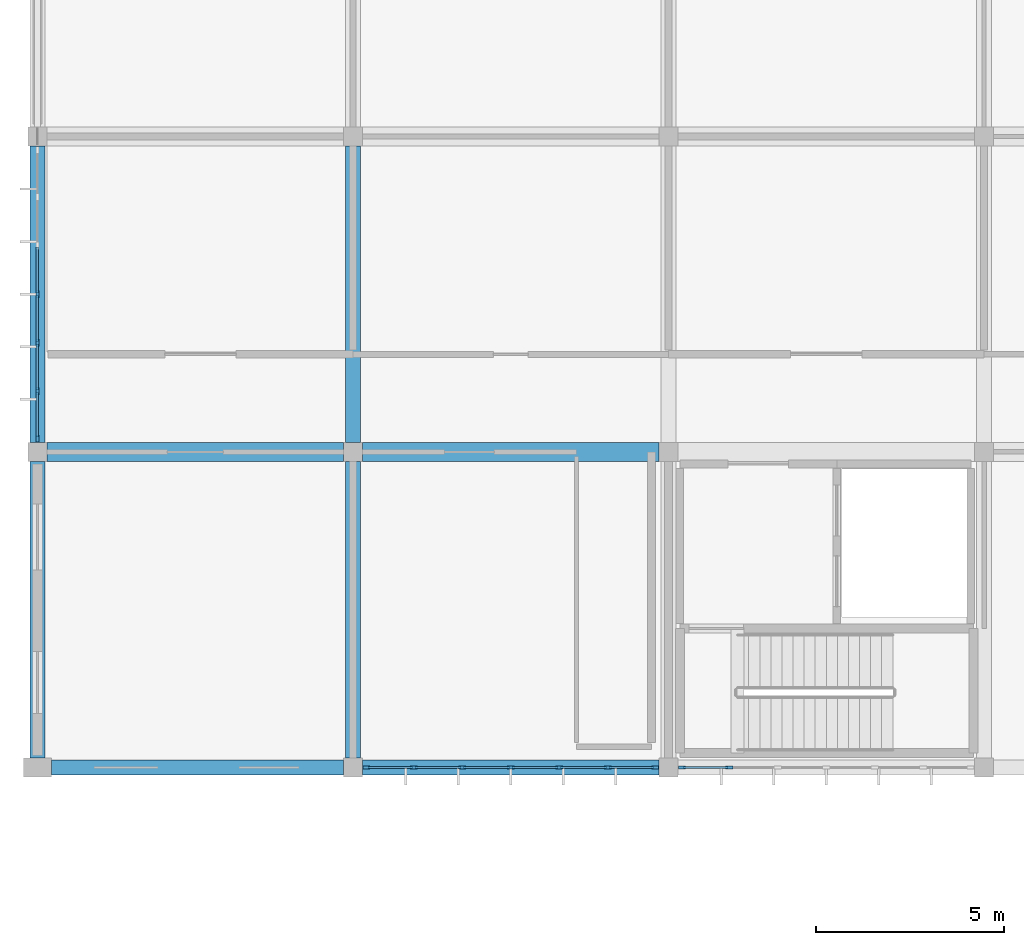
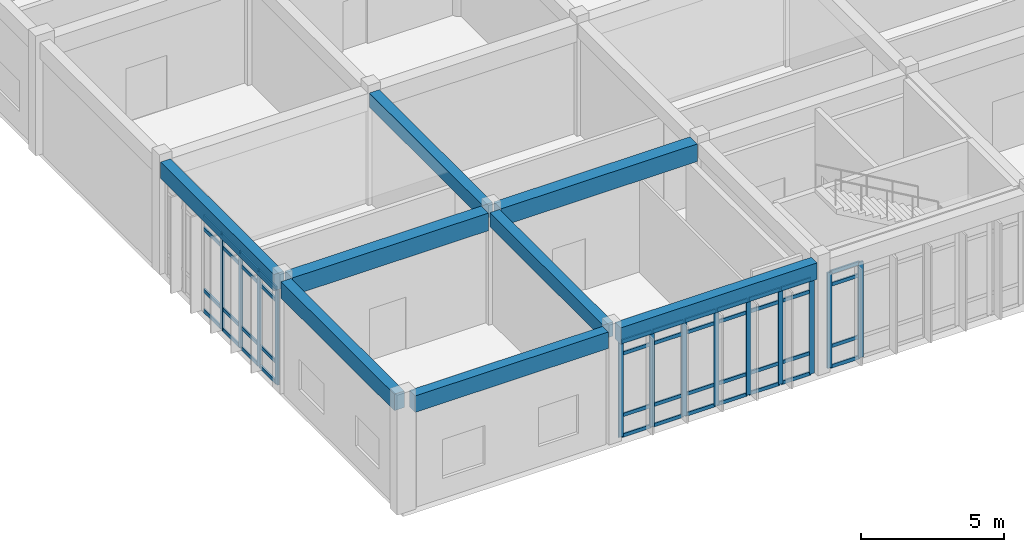
# One storey, part 12 of 134: 57 members, 8 beams, 3 elements without a shape of their own.
"""IFC4 building model written with IfcOpenShell, lengths in metres."""

from ifc_helpers import new_model, si_unit, direction, frame, origin, origin_2d, place, context, subcontext, project, spatial, rectangle, extrude, material, layer, layer_set, material_profile, profile_set, type_object, element, aggregate, save


model = new_model("IFC4")

# Units and contexts
model_context = context("Model", 3, precision=1e-05, world=origin(), true_north=direction((0.0, 1.0)))
body_context = subcontext(model_context, "Body", "Model", "MODEL_VIEW")
ifc_project = project(units=[si_unit("LENGTHUNIT", "METRE"), si_unit("AREAUNIT", "SQUARE_METRE"), si_unit("VOLUMEUNIT", "CUBIC_METRE"), si_unit("PLANEANGLEUNIT", "RADIAN"), si_unit("MASSUNIT", "GRAM", prefix="KILO")], contexts=[model_context])

# Site, building, storey
site_placement = place(None, origin())
site = spatial("IfcSite", under=ifc_project, at=site_placement, CompositionType="ELEMENT")
building_placement = place(site_placement, origin())
building = spatial("IfcBuilding", under=site, at=building_placement, Name="Bramfleet General Hospital", CompositionType="ELEMENT")
storey_placement = place(building_placement, frame((0.0, 0.0, 9.300048828125)))
storey = spatial("IfcBuildingStorey", under=building, at=storey_placement, Name="L02", CompositionType="ELEMENT", Elevation=9.300048828125)

# Beams
ifc_material_1 = material(Name="Concrete C35/45", Category="concrete")
ifc_material_profile_1 = material_profile(ifc_material_1, rectangle(XDim=0.39990234375, YDim=0.60009765625, at=origin_2d()), Name="RC BM 600x400")
ifc_profile_set_1 = profile_set([ifc_material_profile_1], Name="Concrete C35/45")
beam_type_1 = type_object("IfcBeamType", Name="BM-RC600", PredefinedType="BEAM", material=ifc_profile_set_1)
beam_1_placement = place(storey_placement, frame((8.39990234375, 50.64990234375, 4.47998046875), z_axis=(0.0, 1.0, 0.0), x_axis=(-1.0, 0.0, 0.0)))
element("IfcBeam", 1, at=beam_1_placement, inside=storey, type_object=beam_type_1, Name="L02 Grid Beam Y 01-06", PredefinedType="BEAM", context=body_context, shape_type="SweptSolid", body=[
    extrude(rectangle(XDim=0.39990234375, YDim=0.60009765625, at=origin_2d()), origin(), (0.0, 0.0, 1.0), 7.900146484375),
])
beam_2_placement = place(storey_placement, frame((8.39990234375, 59.050048828125, 4.47998046875), z_axis=(0.0, 1.0, 0.0), x_axis=(-1.0, 0.0, 0.0)))
element("IfcBeam", 2, at=beam_2_placement, inside=storey, type_object=beam_type_1, Name="L02 Grid Beam Y 01-07", PredefinedType="BEAM", context=body_context, shape_type="SweptSolid", body=[
    extrude(rectangle(XDim=0.39990234375, YDim=0.60009765625, at=origin_2d()), origin(), (0.0, 0.0, 1.0), 7.89990234375),
])
ifc_material_profile_2 = material_profile(ifc_material_1, rectangle(XDim=0.5, YDim=0.75, at=origin_2d()), Name="RC BM 750x500")
ifc_profile_set_2 = profile_set([ifc_material_profile_2], Name="Concrete C35/45")
beam_type_2 = type_object("IfcBeamType", Name="BM-RC750", PredefinedType="BEAM", material=ifc_profile_set_2)
beam_3_placement = place(storey_placement, frame((0.25, 58.800048828125, 4.405029296875), z_axis=(1.0, 0.0, 0.0), x_axis=(0.0, 1.0, 0.0)))
element("IfcBeam", 3, at=beam_3_placement, inside=storey, type_object=beam_type_2, Name="L02 Grid Beam X 00-07", PredefinedType="BEAM", context=body_context, shape_type="SweptSolid", body=[
    extrude(rectangle(XDim=0.5, YDim=0.75, at=origin_2d()), origin(), (0.0, 0.0, 1.0), 7.89990234375),
])
beam_4_placement = place(storey_placement, frame((8.64990234375, 58.800048828125, 4.405029296875), z_axis=(1.0, 0.0, 0.0), x_axis=(0.0, 1.0, 0.0)))
element("IfcBeam", 4, at=beam_4_placement, inside=storey, type_object=beam_type_2, Name="L02 Grid Beam X 01-07", PredefinedType="BEAM", context=body_context, shape_type="SweptSolid", body=[
    extrude(rectangle(XDim=0.5, YDim=0.75, at=origin_2d()), origin(), (0.0, 0.0, 1.0), 7.900146484375),
])
ifc_material_profile_3 = material_profile(ifc_material_1, rectangle(XDim=0.39990234375, YDim=0.699951171875, at=origin_2d()), Name="RC SP 700x400")
ifc_profile_set_3 = profile_set([ifc_material_profile_3], Name="Concrete C35/45")
beam_type_3 = type_object("IfcBeamType", Name="BM-SP700", PredefinedType="SPANDREL", material=ifc_profile_set_3)
beam_5_placement = place(storey_placement, frame((0.375, 50.39990234375, 4.429931640625), z_axis=(1.0, 0.0, 0.0), x_axis=(0.0, 1.0, 0.0)))
element("IfcBeam", 5, at=beam_5_placement, inside=storey, type_object=beam_type_3, Name="L02 Grid Beam X 00-06", PredefinedType="SPANDREL", context=body_context, shape_type="SweptSolid", body=[
    extrude(rectangle(XDim=0.39990234375, YDim=0.699951171875, at=origin_2d()), origin(), (0.0, 0.0, 1.0), 7.77490234375),
])
for number, where, z_axis, x_axis, name in (
    (6, (8.64990234375, 50.39990234375, 4.429931640625), (1.0, 0.0, 0.0), (0.0, 1.0, 0.0), "L02 Grid Beam X 01-06"),
    (7, (0.0, 50.64990234375, 4.429931640625), (0.0, 1.0, 0.0), (-1.0, 0.0, 0.0), "L02 Grid Beam Y 00-06"),
):
    element("IfcBeam", number, at=place(storey_placement, frame(where, z_axis=z_axis, x_axis=x_axis)), inside=storey, type_object=beam_type_3, Name=name, PredefinedType="SPANDREL", context=body_context, shape_type="SweptSolid", body=[
        extrude(rectangle(XDim=0.39990234375, YDim=0.699951171875, at=origin_2d()), origin(), (0.0, 0.0, 1.0), 7.900146484375),
    ])
beam_6_placement = place(storey_placement, frame((0.0, 59.050048828125, 4.429931640625), z_axis=(0.0, 1.0, 0.0), x_axis=(-1.0, 0.0, 0.0)))
element("IfcBeam", 8, at=beam_6_placement, inside=storey, type_object=beam_type_3, Name="L02 Grid Beam Y 00-07", PredefinedType="SPANDREL", context=body_context, shape_type="SweptSolid", body=[
    extrude(rectangle(XDim=0.39990234375, YDim=0.699951171875, at=origin_2d()), origin(), (0.0, 0.0, 1.0), 7.89990234375),
])

# Curtain wall, members
ifc_material_2 = material(Name="Anodised aluminium and low-E triple glazing", Category="aluminium")
ifc_layer_1 = layer(ifc_material_2, 0.179931640625, Name="CWT-CW-04")
ifc_layer_set_1 = layer_set([ifc_layer_1], Name="Anodised aluminium and low-E triple glazing")
curtain_wall_type_1 = type_object("IfcCurtainWallType", Name="CWT-CW-04", PredefinedType="USERDEFINED", material=ifc_layer_set_1)
curtain_wall_1_placement = place(storey_placement, origin())
curtain_wall_1 = element("IfcCurtainWall", 9, at=curtain_wall_1_placement, inside=storey, type_object=curtain_wall_type_1, Name="L02 Curtain Wall 94", ObjectType="Unitised curtain wall", PredefinedType="USERDEFINED")
ifc_material_3 = material(Name="Structural timber GL28h", Category="wood")
ifc_material_profile_4 = material_profile(ifc_material_3, rectangle(XDim=0.070068359375, YDim=0.18994140625, at=origin_2d()), Name="LARCH 190x70")
ifc_profile_set_4 = profile_set([ifc_material_profile_4], Name="Structural timber GL28h")
member_type_1 = type_object("IfcMemberType", Name="CWM-LARCH450", PredefinedType="MULLION", material=ifc_profile_set_4)
member_1_placement = place(storey_placement, frame((0.0, 59.159912109375, 0.0), z_axis=(0.0, 0.0, 1.0), x_axis=(-1.0, 0.0, 0.0)))
member_1 = element("IfcMember", 10, at=member_1_placement, type_object=member_type_1, Name="CW-04 mullion 1", PredefinedType="MULLION", context=body_context, shape_type="SweptSolid", body=[
    extrude(rectangle(XDim=0.070068359375, YDim=0.18994140625, at=origin_2d()), origin(), (0.0, 0.0, 1.0), 4.070068359375),
])
member_2_placement = place(storey_placement, frame((0.0, 60.416748046875, 0.0), z_axis=(0.0, 0.0, 1.0), x_axis=(-1.0, 0.0, 0.0)))
member_2 = element("IfcMember", 11, at=member_2_placement, type_object=member_type_1, Name="CW-04 mullion 2", PredefinedType="MULLION", context=body_context, shape_type="SweptSolid", body=[
    extrude(rectangle(XDim=0.070068359375, YDim=0.18994140625, at=origin_2d()), origin(), (0.0, 0.0, 1.0), 4.070068359375),
])
member_3_placement = place(storey_placement, frame((0.0, 61.708251953125, 0.0), z_axis=(0.0, 0.0, 1.0), x_axis=(-1.0, 0.0, 0.0)))
member_3 = element("IfcMember", 12, at=member_3_placement, type_object=member_type_1, Name="CW-04 mullion 3", PredefinedType="MULLION", context=body_context, shape_type="SweptSolid", body=[
    extrude(rectangle(XDim=0.070068359375, YDim=0.18994140625, at=origin_2d()), origin(), (0.0, 0.0, 1.0), 4.070068359375),
])
member_4_placement = place(storey_placement, frame((0.0, 63.0, 0.0), z_axis=(0.0, 0.0, 1.0), x_axis=(-1.0, 0.0, 0.0)))
member_4 = element("IfcMember", 13, at=member_4_placement, type_object=member_type_1, Name="CW-04 mullion 4", PredefinedType="MULLION", context=body_context, shape_type="SweptSolid", body=[
    extrude(rectangle(XDim=0.070068359375, YDim=0.18994140625, at=origin_2d()), origin(), (0.0, 0.0, 1.0), 4.070068359375),
])

ifc_layer_2 = layer(ifc_material_2, 0.179931640625, Name="CWT-CW-14")
ifc_layer_set_2 = layer_set([ifc_layer_2], Name="Anodised aluminium and low-E triple glazing")
curtain_wall_type_2 = type_object("IfcCurtainWallType", Name="CWT-CW-14", PredefinedType="USERDEFINED", material=ifc_layer_set_2)
curtain_wall_2_placement = place(storey_placement, origin())
curtain_wall_2 = element("IfcCurtainWall", 14, at=curtain_wall_2_placement, inside=storey, type_object=curtain_wall_type_2, Name="L02 Curtain Wall 140", ObjectType="Stick curtain wall", PredefinedType="USERDEFINED")
member_5_placement = place(storey_placement, frame((18.416748046875, 50.39990234375, 0.0), z_axis=(0.0, 0.0, 1.0), x_axis=(0.0, -1.0, 0.0)))
member_5 = element("IfcMember", 15, at=member_5_placement, type_object=member_type_1, Name="CW-14 mullion 6", PredefinedType="MULLION", context=body_context, shape_type="SweptSolid", body=[
    extrude(rectangle(XDim=0.070068359375, YDim=0.18994140625, at=origin_2d()), origin(), (0.0, 0.0, 1.0), 4.070068359375),
])
member_6_placement = place(storey_placement, frame((17.159912109375, 50.39990234375, 0.0), z_axis=(0.0, 0.0, 1.0), x_axis=(0.0, -1.0, 0.0)))
member_6 = element("IfcMember", 16, at=member_6_placement, type_object=member_type_1, Name="CW-14 mullion 7", PredefinedType="MULLION", context=body_context, shape_type="SweptSolid", body=[
    extrude(rectangle(XDim=0.070068359375, YDim=0.18994140625, at=origin_2d()), origin(), (0.0, 0.0, 1.0), 4.070068359375),
])

ifc_layer_3 = layer(ifc_material_2, 0.179931640625, Name="CWT-CW-15")
ifc_layer_set_3 = layer_set([ifc_layer_3], Name="Anodised aluminium and low-E triple glazing")
curtain_wall_type_3 = type_object("IfcCurtainWallType", Name="CWT-CW-15", PredefinedType="USERDEFINED", material=ifc_layer_set_3)
curtain_wall_3_placement = place(storey_placement, origin())
curtain_wall_3 = element("IfcCurtainWall", 17, at=curtain_wall_3_placement, inside=storey, type_object=curtain_wall_type_3, Name="L02 Curtain Wall 141", ObjectType="Stick curtain wall", PredefinedType="USERDEFINED")
member_7_placement = place(storey_placement, frame((16.43994140625, 50.39990234375, 0.0), z_axis=(0.0, 0.0, 1.0), x_axis=(0.0, -1.0, 0.0)))
member_7 = element("IfcMember", 18, at=member_7_placement, type_object=member_type_1, Name="CW-15 mullion 1", PredefinedType="MULLION", context=body_context, shape_type="SweptSolid", body=[
    extrude(rectangle(XDim=0.070068359375, YDim=0.18994140625, at=origin_2d()), origin(), (0.0, 0.0, 1.0), 4.070068359375),
])
member_8_placement = place(storey_placement, frame((15.183349609375, 50.39990234375, 0.0), z_axis=(0.0, 0.0, 1.0), x_axis=(0.0, -1.0, 0.0)))
member_8 = element("IfcMember", 19, at=member_8_placement, type_object=member_type_1, Name="CW-15 mullion 2", PredefinedType="MULLION", context=body_context, shape_type="SweptSolid", body=[
    extrude(rectangle(XDim=0.070068359375, YDim=0.18994140625, at=origin_2d()), origin(), (0.0, 0.0, 1.0), 4.070068359375),
])
member_9_placement = place(storey_placement, frame((13.8916015625, 50.39990234375, 0.0), z_axis=(0.0, 0.0, 1.0), x_axis=(0.0, -1.0, 0.0)))
member_9 = element("IfcMember", 20, at=member_9_placement, type_object=member_type_1, Name="CW-15 mullion 3", PredefinedType="MULLION", context=body_context, shape_type="SweptSolid", body=[
    extrude(rectangle(XDim=0.070068359375, YDim=0.18994140625, at=origin_2d()), origin(), (0.0, 0.0, 1.0), 4.070068359375),
])
member_10_placement = place(storey_placement, frame((12.60009765625, 50.39990234375, 0.0), z_axis=(0.0, 0.0, 1.0), x_axis=(0.0, -1.0, 0.0)))
member_10 = element("IfcMember", 21, at=member_10_placement, type_object=member_type_1, Name="CW-15 mullion 4", PredefinedType="MULLION", context=body_context, shape_type="SweptSolid", body=[
    extrude(rectangle(XDim=0.070068359375, YDim=0.18994140625, at=origin_2d()), origin(), (0.0, 0.0, 1.0), 4.070068359375),
])
member_11_placement = place(storey_placement, frame((11.308349609375, 50.39990234375, 0.0), z_axis=(0.0, 0.0, 1.0), x_axis=(0.0, -1.0, 0.0)))
member_11 = element("IfcMember", 22, at=member_11_placement, type_object=member_type_1, Name="CW-15 mullion 5", PredefinedType="MULLION", context=body_context, shape_type="SweptSolid", body=[
    extrude(rectangle(XDim=0.070068359375, YDim=0.18994140625, at=origin_2d()), origin(), (0.0, 0.0, 1.0), 4.070068359375),
])
member_12_placement = place(storey_placement, frame((10.0166015625, 50.39990234375, 0.0), z_axis=(0.0, 0.0, 1.0), x_axis=(0.0, -1.0, 0.0)))
member_12 = element("IfcMember", 23, at=member_12_placement, type_object=member_type_1, Name="CW-15 mullion 6", PredefinedType="MULLION", context=body_context, shape_type="SweptSolid", body=[
    extrude(rectangle(XDim=0.070068359375, YDim=0.18994140625, at=origin_2d()), origin(), (0.0, 0.0, 1.0), 4.070068359375),
])
member_13_placement = place(storey_placement, frame((8.760009765625, 50.39990234375, 0.0), z_axis=(0.0, 0.0, 1.0), x_axis=(0.0, -1.0, 0.0)))
member_13 = element("IfcMember", 24, at=member_13_placement, type_object=member_type_1, Name="CW-15 mullion 7", PredefinedType="MULLION", context=body_context, shape_type="SweptSolid", body=[
    extrude(rectangle(XDim=0.070068359375, YDim=0.18994140625, at=origin_2d()), origin(), (0.0, 0.0, 1.0), 4.070068359375),
])

# Member
ifc_material_profile_5 = material_profile(ifc_material_3, rectangle(XDim=0.06494140625, YDim=0.14990234375, at=origin_2d()), Name="LARCH 150x65")
ifc_profile_set_5 = profile_set([ifc_material_profile_5], Name="Structural timber GL28h")
member_type_2 = type_object("IfcMemberType", Name="CWT-LARCH220", PredefinedType="USERDEFINED", material=ifc_profile_set_5)
member_14_placement = place(storey_placement, frame((0.0, 59.195068359375, 0.032470703125), z_axis=(0.0, 1.0, 0.0), x_axis=(-1.0, 0.0, 0.0)))
member_14 = element("IfcMember", 25, at=member_14_placement, type_object=member_type_2, Name="CW-04 transom 1.1", ObjectType="TRANSOM", PredefinedType="USERDEFINED", context=body_context, shape_type="SweptSolid", body=[
    extrude(rectangle(XDim=0.06494140625, YDim=0.14990234375, at=origin_2d()), origin(), (0.0, 0.0, 1.0), 1.1865234375),
])

member_15_placement = place(storey_placement, frame((0.0, 59.195068359375, 0.89990234375), z_axis=(0.0, 1.0, 0.0), x_axis=(-1.0, 0.0, 0.0)))
member_15 = element("IfcMember", 26, at=member_15_placement, type_object=member_type_2, Name="CW-04 transom 1.2", ObjectType="TRANSOM", PredefinedType="USERDEFINED", context=body_context, shape_type="SweptSolid", body=[
    extrude(rectangle(XDim=0.06494140625, YDim=0.14990234375, at=origin_2d()), origin(), (0.0, 0.0, 1.0), 1.1865234375),
])

member_16_placement = place(storey_placement, frame((0.0, 59.195068359375, 3.52001953125), z_axis=(0.0, 1.0, 0.0), x_axis=(-1.0, 0.0, 0.0)))
member_16 = element("IfcMember", 27, at=member_16_placement, type_object=member_type_2, Name="CW-04 transom 1.3", ObjectType="TRANSOM", PredefinedType="USERDEFINED", context=body_context, shape_type="SweptSolid", body=[
    extrude(rectangle(XDim=0.06494140625, YDim=0.14990234375, at=origin_2d()), origin(), (0.0, 0.0, 1.0), 1.1865234375),
])

member_17_placement = place(storey_placement, frame((0.0, 59.195068359375, 4.037353515625), z_axis=(0.0, 1.0, 0.0), x_axis=(-1.0, 0.0, 0.0)))
member_17 = element("IfcMember", 28, at=member_17_placement, type_object=member_type_2, Name="CW-04 transom 1.4", ObjectType="TRANSOM", PredefinedType="USERDEFINED", context=body_context, shape_type="SweptSolid", body=[
    extrude(rectangle(XDim=0.06494140625, YDim=0.14990234375, at=origin_2d()), origin(), (0.0, 0.0, 1.0), 1.1865234375),
])

member_18_placement = place(storey_placement, frame((0.0, 60.45166015625, 0.032470703125), z_axis=(0.0, 1.0, 0.0), x_axis=(-1.0, 0.0, 0.0)))
member_18 = element("IfcMember", 29, at=member_18_placement, type_object=member_type_2, Name="CW-04 transom 2.1", ObjectType="TRANSOM", PredefinedType="USERDEFINED", context=body_context, shape_type="SweptSolid", body=[
    extrude(rectangle(XDim=0.06494140625, YDim=0.14990234375, at=origin_2d()), origin(), (0.0, 0.0, 1.0), 1.2216796875),
])

member_19_placement = place(storey_placement, frame((0.0, 60.45166015625, 0.89990234375), z_axis=(0.0, 1.0, 0.0), x_axis=(-1.0, 0.0, 0.0)))
member_19 = element("IfcMember", 30, at=member_19_placement, type_object=member_type_2, Name="CW-04 transom 2.2", ObjectType="TRANSOM", PredefinedType="USERDEFINED", context=body_context, shape_type="SweptSolid", body=[
    extrude(rectangle(XDim=0.06494140625, YDim=0.14990234375, at=origin_2d()), origin(), (0.0, 0.0, 1.0), 1.2216796875),
])

member_20_placement = place(storey_placement, frame((0.0, 60.45166015625, 3.52001953125), z_axis=(0.0, 1.0, 0.0), x_axis=(-1.0, 0.0, 0.0)))
member_20 = element("IfcMember", 31, at=member_20_placement, type_object=member_type_2, Name="CW-04 transom 2.3", ObjectType="TRANSOM", PredefinedType="USERDEFINED", context=body_context, shape_type="SweptSolid", body=[
    extrude(rectangle(XDim=0.06494140625, YDim=0.14990234375, at=origin_2d()), origin(), (0.0, 0.0, 1.0), 1.2216796875),
])

member_21_placement = place(storey_placement, frame((0.0, 60.45166015625, 4.037353515625), z_axis=(0.0, 1.0, 0.0), x_axis=(-1.0, 0.0, 0.0)))
member_21 = element("IfcMember", 32, at=member_21_placement, type_object=member_type_2, Name="CW-04 transom 2.4", ObjectType="TRANSOM", PredefinedType="USERDEFINED", context=body_context, shape_type="SweptSolid", body=[
    extrude(rectangle(XDim=0.06494140625, YDim=0.14990234375, at=origin_2d()), origin(), (0.0, 0.0, 1.0), 1.2216796875),
])

member_22_placement = place(storey_placement, frame((0.0, 61.743408203125, 0.032470703125), z_axis=(0.0, 1.0, 0.0), x_axis=(-1.0, 0.0, 0.0)))
member_22 = element("IfcMember", 33, at=member_22_placement, type_object=member_type_2, Name="CW-04 transom 3.1", ObjectType="TRANSOM", PredefinedType="USERDEFINED", context=body_context, shape_type="SweptSolid", body=[
    extrude(rectangle(XDim=0.06494140625, YDim=0.14990234375, at=origin_2d()), origin(), (0.0, 0.0, 1.0), 1.2216796875),
])

member_23_placement = place(storey_placement, frame((0.0, 61.743408203125, 0.89990234375), z_axis=(0.0, 1.0, 0.0), x_axis=(-1.0, 0.0, 0.0)))
member_23 = element("IfcMember", 34, at=member_23_placement, type_object=member_type_2, Name="CW-04 transom 3.2", ObjectType="TRANSOM", PredefinedType="USERDEFINED", context=body_context, shape_type="SweptSolid", body=[
    extrude(rectangle(XDim=0.06494140625, YDim=0.14990234375, at=origin_2d()), origin(), (0.0, 0.0, 1.0), 1.2216796875),
])

member_24_placement = place(storey_placement, frame((0.0, 61.743408203125, 3.52001953125), z_axis=(0.0, 1.0, 0.0), x_axis=(-1.0, 0.0, 0.0)))
member_24 = element("IfcMember", 35, at=member_24_placement, type_object=member_type_2, Name="CW-04 transom 3.3", ObjectType="TRANSOM", PredefinedType="USERDEFINED", context=body_context, shape_type="SweptSolid", body=[
    extrude(rectangle(XDim=0.06494140625, YDim=0.14990234375, at=origin_2d()), origin(), (0.0, 0.0, 1.0), 1.2216796875),
])

member_25_placement = place(storey_placement, frame((0.0, 61.743408203125, 4.037353515625), z_axis=(0.0, 1.0, 0.0), x_axis=(-1.0, 0.0, 0.0)))
member_25 = element("IfcMember", 36, at=member_25_placement, type_object=member_type_2, Name="CW-04 transom 3.4", ObjectType="TRANSOM", PredefinedType="USERDEFINED", context=body_context, shape_type="SweptSolid", body=[
    extrude(rectangle(XDim=0.06494140625, YDim=0.14990234375, at=origin_2d()), origin(), (0.0, 0.0, 1.0), 1.2216796875),
])

member_26_placement = place(storey_placement, frame((0.0, 63.034912109375, 0.032470703125), z_axis=(0.0, 1.0, 0.0), x_axis=(-1.0, 0.0, 0.0)))
member_26 = element("IfcMember", 37, at=member_26_placement, type_object=member_type_2, Name="CW-04 transom 4.1", ObjectType="TRANSOM", PredefinedType="USERDEFINED", context=body_context, shape_type="SweptSolid", body=[
    extrude(rectangle(XDim=0.06494140625, YDim=0.14990234375, at=origin_2d()), origin(), (0.0, 0.0, 1.0), 1.2216796875),
])

member_27_placement = place(storey_placement, frame((0.0, 63.034912109375, 0.89990234375), z_axis=(0.0, 1.0, 0.0), x_axis=(-1.0, 0.0, 0.0)))
member_27 = element("IfcMember", 38, at=member_27_placement, type_object=member_type_2, Name="CW-04 transom 4.2", ObjectType="TRANSOM", PredefinedType="USERDEFINED", context=body_context, shape_type="SweptSolid", body=[
    extrude(rectangle(XDim=0.06494140625, YDim=0.14990234375, at=origin_2d()), origin(), (0.0, 0.0, 1.0), 1.2216796875),
])

member_28_placement = place(storey_placement, frame((0.0, 63.034912109375, 3.52001953125), z_axis=(0.0, 1.0, 0.0), x_axis=(-1.0, 0.0, 0.0)))
member_28 = element("IfcMember", 39, at=member_28_placement, type_object=member_type_2, Name="CW-04 transom 4.3", ObjectType="TRANSOM", PredefinedType="USERDEFINED", context=body_context, shape_type="SweptSolid", body=[
    extrude(rectangle(XDim=0.06494140625, YDim=0.14990234375, at=origin_2d()), origin(), (0.0, 0.0, 1.0), 1.2216796875),
])

member_29_placement = place(storey_placement, frame((0.0, 63.034912109375, 4.037353515625), z_axis=(0.0, 1.0, 0.0), x_axis=(-1.0, 0.0, 0.0)))
member_29 = element("IfcMember", 40, at=member_29_placement, type_object=member_type_2, Name="CW-04 transom 4.4", ObjectType="TRANSOM", PredefinedType="USERDEFINED", context=body_context, shape_type="SweptSolid", body=[
    extrude(rectangle(XDim=0.06494140625, YDim=0.14990234375, at=origin_2d()), origin(), (0.0, 0.0, 1.0), 1.2216796875),
])

aggregate(curtain_wall_1, [member_1, member_2, member_3, member_4, member_14, member_15, member_16, member_17, member_18, member_19, member_20, member_21, member_22, member_23, member_24, member_25, member_26, member_27, member_28, member_29])

member_30_placement = place(storey_placement, frame((18.381591796875, 50.39990234375, 0.032470703125), z_axis=(-1.0, 0.0, 0.0), x_axis=(0.0, -1.0, 0.0)))
member_30 = element("IfcMember", 41, at=member_30_placement, type_object=member_type_2, Name="CW-14 transom 6.1", ObjectType="TRANSOM", PredefinedType="USERDEFINED", context=body_context, shape_type="SweptSolid", body=[
    extrude(rectangle(XDim=0.06494140625, YDim=0.14990234375, at=origin_2d()), origin(), (0.0, 0.0, 1.0), 1.1865234375),
])

member_31_placement = place(storey_placement, frame((18.381591796875, 50.39990234375, 0.89990234375), z_axis=(-1.0, 0.0, 0.0), x_axis=(0.0, -1.0, 0.0)))
member_31 = element("IfcMember", 42, at=member_31_placement, type_object=member_type_2, Name="CW-14 transom 6.2", ObjectType="TRANSOM", PredefinedType="USERDEFINED", context=body_context, shape_type="SweptSolid", body=[
    extrude(rectangle(XDim=0.06494140625, YDim=0.14990234375, at=origin_2d()), origin(), (0.0, 0.0, 1.0), 1.1865234375),
])

member_32_placement = place(storey_placement, frame((18.381591796875, 50.39990234375, 3.52001953125), z_axis=(-1.0, 0.0, 0.0), x_axis=(0.0, -1.0, 0.0)))
member_32 = element("IfcMember", 43, at=member_32_placement, type_object=member_type_2, Name="CW-14 transom 6.3", ObjectType="TRANSOM", PredefinedType="USERDEFINED", context=body_context, shape_type="SweptSolid", body=[
    extrude(rectangle(XDim=0.06494140625, YDim=0.14990234375, at=origin_2d()), origin(), (0.0, 0.0, 1.0), 1.1865234375),
])

member_33_placement = place(storey_placement, frame((18.381591796875, 50.39990234375, 4.037353515625), z_axis=(-1.0, 0.0, 0.0), x_axis=(0.0, -1.0, 0.0)))
member_33 = element("IfcMember", 44, at=member_33_placement, type_object=member_type_2, Name="CW-14 transom 6.4", ObjectType="TRANSOM", PredefinedType="USERDEFINED", context=body_context, shape_type="SweptSolid", body=[
    extrude(rectangle(XDim=0.06494140625, YDim=0.14990234375, at=origin_2d()), origin(), (0.0, 0.0, 1.0), 1.1865234375),
])

aggregate(curtain_wall_2, [member_5, member_6, member_30, member_31, member_32, member_33])

member_34_placement = place(storey_placement, frame((16.405029296875, 50.39990234375, 0.032470703125), z_axis=(-1.0, 0.0, 0.0), x_axis=(0.0, -1.0, 0.0)))
member_34 = element("IfcMember", 45, at=member_34_placement, type_object=member_type_2, Name="CW-15 transom 1.1", ObjectType="TRANSOM", PredefinedType="USERDEFINED", context=body_context, shape_type="SweptSolid", body=[
    extrude(rectangle(XDim=0.06494140625, YDim=0.14990234375, at=origin_2d()), origin(), (0.0, 0.0, 1.0), 1.186767578125),
])

member_35_placement = place(storey_placement, frame((16.405029296875, 50.39990234375, 0.89990234375), z_axis=(-1.0, 0.0, 0.0), x_axis=(0.0, -1.0, 0.0)))
member_35 = element("IfcMember", 46, at=member_35_placement, type_object=member_type_2, Name="CW-15 transom 1.2", ObjectType="TRANSOM", PredefinedType="USERDEFINED", context=body_context, shape_type="SweptSolid", body=[
    extrude(rectangle(XDim=0.06494140625, YDim=0.14990234375, at=origin_2d()), origin(), (0.0, 0.0, 1.0), 1.186767578125),
])

member_36_placement = place(storey_placement, frame((16.405029296875, 50.39990234375, 3.52001953125), z_axis=(-1.0, 0.0, 0.0), x_axis=(0.0, -1.0, 0.0)))
member_36 = element("IfcMember", 47, at=member_36_placement, type_object=member_type_2, Name="CW-15 transom 1.3", ObjectType="TRANSOM", PredefinedType="USERDEFINED", context=body_context, shape_type="SweptSolid", body=[
    extrude(rectangle(XDim=0.06494140625, YDim=0.14990234375, at=origin_2d()), origin(), (0.0, 0.0, 1.0), 1.186767578125),
])

member_37_placement = place(storey_placement, frame((16.405029296875, 50.39990234375, 4.037353515625), z_axis=(-1.0, 0.0, 0.0), x_axis=(0.0, -1.0, 0.0)))
member_37 = element("IfcMember", 48, at=member_37_placement, type_object=member_type_2, Name="CW-15 transom 1.4", ObjectType="TRANSOM", PredefinedType="USERDEFINED", context=body_context, shape_type="SweptSolid", body=[
    extrude(rectangle(XDim=0.06494140625, YDim=0.14990234375, at=origin_2d()), origin(), (0.0, 0.0, 1.0), 1.186767578125),
])

member_38_placement = place(storey_placement, frame((15.1484375, 50.39990234375, 0.032470703125), z_axis=(-1.0, 0.0, 0.0), x_axis=(0.0, -1.0, 0.0)))
member_38 = element("IfcMember", 49, at=member_38_placement, type_object=member_type_2, Name="CW-15 transom 2.1", ObjectType="TRANSOM", PredefinedType="USERDEFINED", context=body_context, shape_type="SweptSolid", body=[
    extrude(rectangle(XDim=0.06494140625, YDim=0.14990234375, at=origin_2d()), origin(), (0.0, 0.0, 1.0), 1.2216796875),
])

member_39_placement = place(storey_placement, frame((15.1484375, 50.39990234375, 0.89990234375), z_axis=(-1.0, 0.0, 0.0), x_axis=(0.0, -1.0, 0.0)))
member_39 = element("IfcMember", 50, at=member_39_placement, type_object=member_type_2, Name="CW-15 transom 2.2", ObjectType="TRANSOM", PredefinedType="USERDEFINED", context=body_context, shape_type="SweptSolid", body=[
    extrude(rectangle(XDim=0.06494140625, YDim=0.14990234375, at=origin_2d()), origin(), (0.0, 0.0, 1.0), 1.2216796875),
])

member_40_placement = place(storey_placement, frame((15.1484375, 50.39990234375, 3.52001953125), z_axis=(-1.0, 0.0, 0.0), x_axis=(0.0, -1.0, 0.0)))
member_40 = element("IfcMember", 51, at=member_40_placement, type_object=member_type_2, Name="CW-15 transom 2.3", ObjectType="TRANSOM", PredefinedType="USERDEFINED", context=body_context, shape_type="SweptSolid", body=[
    extrude(rectangle(XDim=0.06494140625, YDim=0.14990234375, at=origin_2d()), origin(), (0.0, 0.0, 1.0), 1.2216796875),
])

member_41_placement = place(storey_placement, frame((15.1484375, 50.39990234375, 4.037353515625), z_axis=(-1.0, 0.0, 0.0), x_axis=(0.0, -1.0, 0.0)))
member_41 = element("IfcMember", 52, at=member_41_placement, type_object=member_type_2, Name="CW-15 transom 2.4", ObjectType="TRANSOM", PredefinedType="USERDEFINED", context=body_context, shape_type="SweptSolid", body=[
    extrude(rectangle(XDim=0.06494140625, YDim=0.14990234375, at=origin_2d()), origin(), (0.0, 0.0, 1.0), 1.2216796875),
])

member_42_placement = place(storey_placement, frame((13.856689453125, 50.39990234375, 0.032470703125), z_axis=(-1.0, 0.0, 0.0), x_axis=(0.0, -1.0, 0.0)))
member_42 = element("IfcMember", 53, at=member_42_placement, type_object=member_type_2, Name="CW-15 transom 3.1", ObjectType="TRANSOM", PredefinedType="USERDEFINED", context=body_context, shape_type="SweptSolid", body=[
    extrude(rectangle(XDim=0.06494140625, YDim=0.14990234375, at=origin_2d()), origin(), (0.0, 0.0, 1.0), 1.2216796875),
])

member_43_placement = place(storey_placement, frame((13.856689453125, 50.39990234375, 0.89990234375), z_axis=(-1.0, 0.0, 0.0), x_axis=(0.0, -1.0, 0.0)))
member_43 = element("IfcMember", 54, at=member_43_placement, type_object=member_type_2, Name="CW-15 transom 3.2", ObjectType="TRANSOM", PredefinedType="USERDEFINED", context=body_context, shape_type="SweptSolid", body=[
    extrude(rectangle(XDim=0.06494140625, YDim=0.14990234375, at=origin_2d()), origin(), (0.0, 0.0, 1.0), 1.2216796875),
])

member_44_placement = place(storey_placement, frame((13.856689453125, 50.39990234375, 3.52001953125), z_axis=(-1.0, 0.0, 0.0), x_axis=(0.0, -1.0, 0.0)))
member_44 = element("IfcMember", 55, at=member_44_placement, type_object=member_type_2, Name="CW-15 transom 3.3", ObjectType="TRANSOM", PredefinedType="USERDEFINED", context=body_context, shape_type="SweptSolid", body=[
    extrude(rectangle(XDim=0.06494140625, YDim=0.14990234375, at=origin_2d()), origin(), (0.0, 0.0, 1.0), 1.2216796875),
])

member_45_placement = place(storey_placement, frame((13.856689453125, 50.39990234375, 4.037353515625), z_axis=(-1.0, 0.0, 0.0), x_axis=(0.0, -1.0, 0.0)))
member_45 = element("IfcMember", 56, at=member_45_placement, type_object=member_type_2, Name="CW-15 transom 3.4", ObjectType="TRANSOM", PredefinedType="USERDEFINED", context=body_context, shape_type="SweptSolid", body=[
    extrude(rectangle(XDim=0.06494140625, YDim=0.14990234375, at=origin_2d()), origin(), (0.0, 0.0, 1.0), 1.2216796875),
])

member_46_placement = place(storey_placement, frame((12.56494140625, 50.39990234375, 0.032470703125), z_axis=(-1.0, 0.0, 0.0), x_axis=(0.0, -1.0, 0.0)))
member_46 = element("IfcMember", 57, at=member_46_placement, type_object=member_type_2, Name="CW-15 transom 4.1", ObjectType="TRANSOM", PredefinedType="USERDEFINED", context=body_context, shape_type="SweptSolid", body=[
    extrude(rectangle(XDim=0.06494140625, YDim=0.14990234375, at=origin_2d()), origin(), (0.0, 0.0, 1.0), 1.2216796875),
])

member_47_placement = place(storey_placement, frame((12.56494140625, 50.39990234375, 0.89990234375), z_axis=(-1.0, 0.0, 0.0), x_axis=(0.0, -1.0, 0.0)))
member_47 = element("IfcMember", 58, at=member_47_placement, type_object=member_type_2, Name="CW-15 transom 4.2", ObjectType="TRANSOM", PredefinedType="USERDEFINED", context=body_context, shape_type="SweptSolid", body=[
    extrude(rectangle(XDim=0.06494140625, YDim=0.14990234375, at=origin_2d()), origin(), (0.0, 0.0, 1.0), 1.2216796875),
])

member_48_placement = place(storey_placement, frame((12.56494140625, 50.39990234375, 3.52001953125), z_axis=(-1.0, 0.0, 0.0), x_axis=(0.0, -1.0, 0.0)))
member_48 = element("IfcMember", 59, at=member_48_placement, type_object=member_type_2, Name="CW-15 transom 4.3", ObjectType="TRANSOM", PredefinedType="USERDEFINED", context=body_context, shape_type="SweptSolid", body=[
    extrude(rectangle(XDim=0.06494140625, YDim=0.14990234375, at=origin_2d()), origin(), (0.0, 0.0, 1.0), 1.2216796875),
])

member_49_placement = place(storey_placement, frame((12.56494140625, 50.39990234375, 4.037353515625), z_axis=(-1.0, 0.0, 0.0), x_axis=(0.0, -1.0, 0.0)))
member_49 = element("IfcMember", 60, at=member_49_placement, type_object=member_type_2, Name="CW-15 transom 4.4", ObjectType="TRANSOM", PredefinedType="USERDEFINED", context=body_context, shape_type="SweptSolid", body=[
    extrude(rectangle(XDim=0.06494140625, YDim=0.14990234375, at=origin_2d()), origin(), (0.0, 0.0, 1.0), 1.2216796875),
])

member_50_placement = place(storey_placement, frame((11.2734375, 50.39990234375, 0.032470703125), z_axis=(-1.0, 0.0, 0.0), x_axis=(0.0, -1.0, 0.0)))
member_50 = element("IfcMember", 61, at=member_50_placement, type_object=member_type_2, Name="CW-15 transom 5.1", ObjectType="TRANSOM", PredefinedType="USERDEFINED", context=body_context, shape_type="SweptSolid", body=[
    extrude(rectangle(XDim=0.06494140625, YDim=0.14990234375, at=origin_2d()), origin(), (0.0, 0.0, 1.0), 1.2216796875),
])

member_51_placement = place(storey_placement, frame((11.2734375, 50.39990234375, 0.89990234375), z_axis=(-1.0, 0.0, 0.0), x_axis=(0.0, -1.0, 0.0)))
member_51 = element("IfcMember", 62, at=member_51_placement, type_object=member_type_2, Name="CW-15 transom 5.2", ObjectType="TRANSOM", PredefinedType="USERDEFINED", context=body_context, shape_type="SweptSolid", body=[
    extrude(rectangle(XDim=0.06494140625, YDim=0.14990234375, at=origin_2d()), origin(), (0.0, 0.0, 1.0), 1.2216796875),
])

member_52_placement = place(storey_placement, frame((11.2734375, 50.39990234375, 3.52001953125), z_axis=(-1.0, 0.0, 0.0), x_axis=(0.0, -1.0, 0.0)))
member_52 = element("IfcMember", 63, at=member_52_placement, type_object=member_type_2, Name="CW-15 transom 5.3", ObjectType="TRANSOM", PredefinedType="USERDEFINED", context=body_context, shape_type="SweptSolid", body=[
    extrude(rectangle(XDim=0.06494140625, YDim=0.14990234375, at=origin_2d()), origin(), (0.0, 0.0, 1.0), 1.2216796875),
])

member_53_placement = place(storey_placement, frame((11.2734375, 50.39990234375, 4.037353515625), z_axis=(-1.0, 0.0, 0.0), x_axis=(0.0, -1.0, 0.0)))
member_53 = element("IfcMember", 64, at=member_53_placement, type_object=member_type_2, Name="CW-15 transom 5.4", ObjectType="TRANSOM", PredefinedType="USERDEFINED", context=body_context, shape_type="SweptSolid", body=[
    extrude(rectangle(XDim=0.06494140625, YDim=0.14990234375, at=origin_2d()), origin(), (0.0, 0.0, 1.0), 1.2216796875),
])

member_54_placement = place(storey_placement, frame((9.981689453125, 50.39990234375, 0.032470703125), z_axis=(-1.0, 0.0, 0.0), x_axis=(0.0, -1.0, 0.0)))
member_54 = element("IfcMember", 65, at=member_54_placement, type_object=member_type_2, Name="CW-15 transom 6.1", ObjectType="TRANSOM", PredefinedType="USERDEFINED", context=body_context, shape_type="SweptSolid", body=[
    extrude(rectangle(XDim=0.06494140625, YDim=0.14990234375, at=origin_2d()), origin(), (0.0, 0.0, 1.0), 1.186767578125),
])

member_55_placement = place(storey_placement, frame((9.981689453125, 50.39990234375, 0.89990234375), z_axis=(-1.0, 0.0, 0.0), x_axis=(0.0, -1.0, 0.0)))
member_55 = element("IfcMember", 66, at=member_55_placement, type_object=member_type_2, Name="CW-15 transom 6.2", ObjectType="TRANSOM", PredefinedType="USERDEFINED", context=body_context, shape_type="SweptSolid", body=[
    extrude(rectangle(XDim=0.06494140625, YDim=0.14990234375, at=origin_2d()), origin(), (0.0, 0.0, 1.0), 1.186767578125),
])

member_56_placement = place(storey_placement, frame((9.981689453125, 50.39990234375, 3.52001953125), z_axis=(-1.0, 0.0, 0.0), x_axis=(0.0, -1.0, 0.0)))
member_56 = element("IfcMember", 67, at=member_56_placement, type_object=member_type_2, Name="CW-15 transom 6.3", ObjectType="TRANSOM", PredefinedType="USERDEFINED", context=body_context, shape_type="SweptSolid", body=[
    extrude(rectangle(XDim=0.06494140625, YDim=0.14990234375, at=origin_2d()), origin(), (0.0, 0.0, 1.0), 1.186767578125),
])

member_57_placement = place(storey_placement, frame((9.981689453125, 50.39990234375, 4.037353515625), z_axis=(-1.0, 0.0, 0.0), x_axis=(0.0, -1.0, 0.0)))
member_57 = element("IfcMember", 68, at=member_57_placement, type_object=member_type_2, Name="CW-15 transom 6.4", ObjectType="TRANSOM", PredefinedType="USERDEFINED", context=body_context, shape_type="SweptSolid", body=[
    extrude(rectangle(XDim=0.06494140625, YDim=0.14990234375, at=origin_2d()), origin(), (0.0, 0.0, 1.0), 1.186767578125),
])

aggregate(curtain_wall_3, [member_7, member_8, member_9, member_10, member_11, member_12, member_13, member_34, member_35, member_36, member_37, member_38, member_39, member_40, member_41, member_42, member_43, member_44, member_45, member_46, member_47, member_48, member_49, member_50, member_51, member_52, member_53, member_54, member_55, member_56, member_57])

save(model, "model.ifc")
